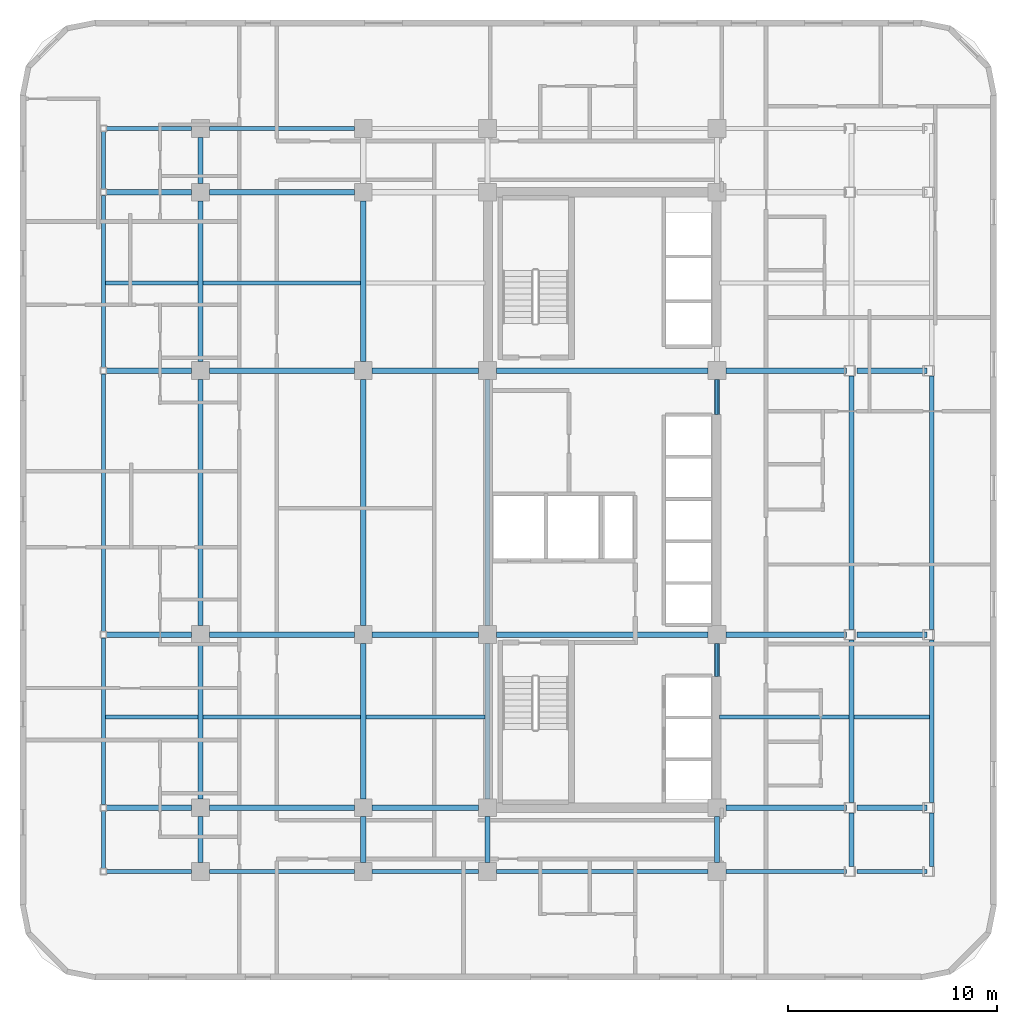
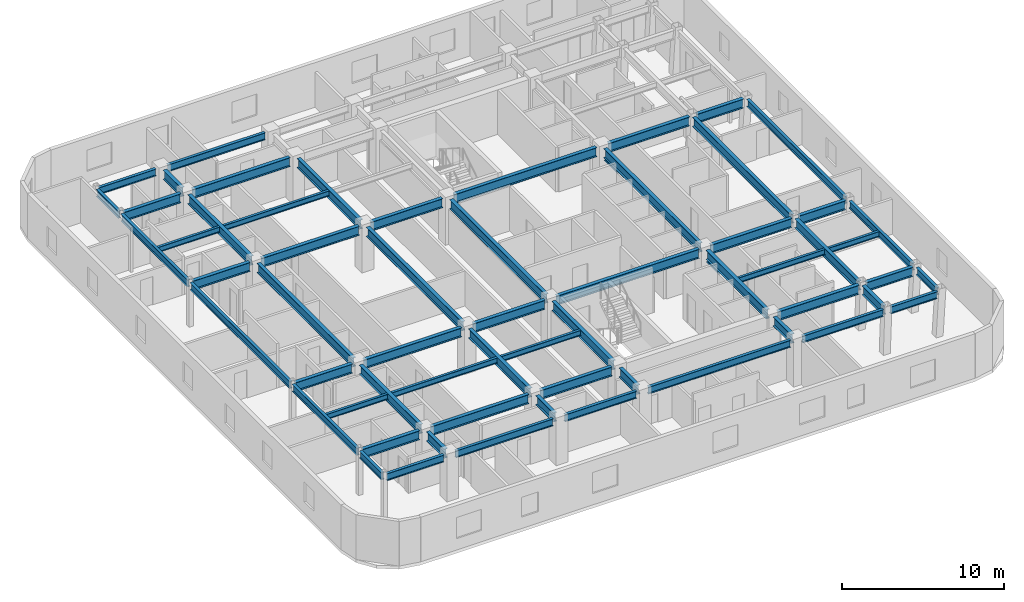
# One storey, part 4 of 12: 62 beams.
"""IFC4 building model written with IfcOpenShell, lengths in metres."""

from ifc_helpers import new_model, si_unit, direction, frame, origin, origin_2d, place, context, subcontext, project, spatial, i_section, extrude, material, material_profile, profile_set, type_object, element, save


model = new_model("IFC4")

# Units and contexts
model_context = context("Model", 3, precision=1e-05, world=origin(), true_north=direction((0.0, 1.0)))
body_context = subcontext(model_context, "Body", "Model", "MODEL_VIEW")
ifc_project = project(units=[si_unit("LENGTHUNIT", "METRE"), si_unit("AREAUNIT", "SQUARE_METRE"), si_unit("VOLUMEUNIT", "CUBIC_METRE"), si_unit("PLANEANGLEUNIT", "RADIAN"), si_unit("MASSUNIT", "GRAM", prefix="KILO")], contexts=[model_context])

# Site, building, storey
site_placement = place(None, origin())
site = spatial("IfcSite", under=ifc_project, at=site_placement, CompositionType="ELEMENT")
building_placement = place(site_placement, origin())
building = spatial("IfcBuilding", under=site, at=building_placement, Name="Ochreholt Gables", CompositionType="ELEMENT")
storey_placement = place(building_placement, frame((0.0, 0.0, 45.60009765625)))
storey = spatial("IfcBuildingStorey", under=building, at=storey_placement, Name="L11", CompositionType="ELEMENT", Elevation=45.60009765625)

# Beams
ifc_material = material(Name="Steel CSA G40.21 350W", Category="steel")
ifc_material_profile_1 = material_profile(ifc_material, i_section(OverallWidth=0.256103515625, OverallDepth=0.693115234375, WebThickness=0.014404296875, FlangeThickness=0.023681640625, at=origin_2d()), Name="W690X170")
ifc_profile_set_1 = profile_set([ifc_material_profile_1], Name="Steel CSA G40.21 350W")
beam_type_1 = type_object("IfcBeamType", Name="BM-G-W690", PredefinedType="BEAM", material=ifc_profile_set_1)
beam_1_placement = place(storey_placement, frame((5.9521484375, 9.25, 3.013427734375), z_axis=(1.0, 0.0, 0.0), x_axis=(0.0, 1.0, 0.0)))
element("IfcBeam", 1, at=beam_1_placement, inside=storey, type_object=beam_type_1, Name="L11 Beam TBG-L11-WTW2-Y2", PredefinedType="BEAM", context=body_context, shape_type="SweptSolid", body=[
    extrude(i_section(OverallWidth=0.256103515625, OverallDepth=0.693115234375, WebThickness=0.014404296875, FlangeThickness=0.023681640625, at=origin_2d()), origin(), (0.0, 0.0, 1.0), 4.0732421875),
])
beam_2_placement = place(storey_placement, frame((10.87451171875, 9.25, 3.013427734375), z_axis=(1.0, 0.0, 0.0), x_axis=(0.0, 1.0, 0.0)))
element("IfcBeam", 2, at=beam_2_placement, inside=storey, type_object=beam_type_1, Name="L11 Beam TBG-L11-W2W3-Y2", PredefinedType="BEAM", context=body_context, shape_type="SweptSolid", body=[
    extrude(i_section(OverallWidth=0.256103515625, OverallDepth=0.693115234375, WebThickness=0.014404296875, FlangeThickness=0.023681640625, at=origin_2d()), origin(), (0.0, 0.0, 1.0), 6.950927734375),
])
beam_3_placement = place(storey_placement, frame((18.674560546875, 9.25, 3.013427734375), z_axis=(1.0, 0.0, 0.0), x_axis=(0.0, 1.0, 0.0)))
element("IfcBeam", 3, at=beam_3_placement, inside=storey, type_object=beam_type_1, Name="L11 Beam TBG-L11-W3C1-Y2", PredefinedType="BEAM", context=body_context, shape_type="SweptSolid", body=[
    extrude(i_section(OverallWidth=0.256103515625, OverallDepth=0.693115234375, WebThickness=0.014404296875, FlangeThickness=0.023681640625, at=origin_2d()), origin(), (0.0, 0.0, 1.0), 5.100830078125),
])
beam_4_placement = place(storey_placement, frame((35.62451171875, 9.25, 3.013427734375), z_axis=(1.0, 0.0, 0.0), x_axis=(0.0, 1.0, 0.0)))
element("IfcBeam", 4, at=beam_4_placement, inside=storey, type_object=beam_type_1, Name="L11 Beam TBG-L11-C2EM-Y2", PredefinedType="BEAM", context=body_context, shape_type="SweptSolid", body=[
    extrude(i_section(OverallWidth=0.256103515625, OverallDepth=0.693115234375, WebThickness=0.014404296875, FlangeThickness=0.023681640625, at=origin_2d()), origin(), (0.0, 0.0, 1.0), 5.783935546875),
])
beam_5_placement = place(storey_placement, frame((41.90771484375, 9.25, 3.013427734375), z_axis=(1.0, 0.0, 0.0), x_axis=(0.0, 1.0, 0.0)))
element("IfcBeam", 5, at=beam_5_placement, inside=storey, type_object=beam_type_1, Name="L11 Beam TBG-L11-EMEE-Y2", PredefinedType="BEAM", context=body_context, shape_type="SweptSolid", body=[
    extrude(i_section(OverallWidth=0.256103515625, OverallDepth=0.693115234375, WebThickness=0.014404296875, FlangeThickness=0.023681640625, at=origin_2d()), origin(), (0.0, 0.0, 1.0), 3.35302734375),
])
beam_6_placement = place(storey_placement, frame((5.9521484375, 17.550048828125, 3.013427734375), z_axis=(1.0, 0.0, 0.0), x_axis=(0.0, 1.0, 0.0)))
element("IfcBeam", 6, at=beam_6_placement, inside=storey, type_object=beam_type_1, Name="L11 Beam TBG-L11-WTW2-Y3", PredefinedType="BEAM", context=body_context, shape_type="SweptSolid", body=[
    extrude(i_section(OverallWidth=0.256103515625, OverallDepth=0.693115234375, WebThickness=0.014404296875, FlangeThickness=0.023681640625, at=origin_2d()), origin(), (0.0, 0.0, 1.0), 4.0732421875),
])
beam_7_placement = place(storey_placement, frame((10.87451171875, 17.550048828125, 3.013427734375), z_axis=(1.0, 0.0, 0.0), x_axis=(0.0, 1.0, 0.0)))
element("IfcBeam", 7, at=beam_7_placement, inside=storey, type_object=beam_type_1, Name="L11 Beam TBG-L11-W2W3-Y3", PredefinedType="BEAM", context=body_context, shape_type="SweptSolid", body=[
    extrude(i_section(OverallWidth=0.256103515625, OverallDepth=0.693115234375, WebThickness=0.014404296875, FlangeThickness=0.023681640625, at=origin_2d()), origin(), (0.0, 0.0, 1.0), 6.950927734375),
])
beam_8_placement = place(storey_placement, frame((18.674560546875, 17.550048828125, 3.013427734375), z_axis=(1.0, 0.0, 0.0), x_axis=(0.0, 1.0, 0.0)))
element("IfcBeam", 8, at=beam_8_placement, inside=storey, type_object=beam_type_1, Name="L11 Beam TBG-L11-W3C1-Y3", PredefinedType="BEAM", context=body_context, shape_type="SweptSolid", body=[
    extrude(i_section(OverallWidth=0.256103515625, OverallDepth=0.693115234375, WebThickness=0.014404296875, FlangeThickness=0.023681640625, at=origin_2d()), origin(), (0.0, 0.0, 1.0), 5.100830078125),
])
beam_9_placement = place(storey_placement, frame((24.62451171875, 17.550048828125, 3.013427734375), z_axis=(1.0, 0.0, 0.0), x_axis=(0.0, 1.0, 0.0)))
element("IfcBeam", 9, at=beam_9_placement, inside=storey, type_object=beam_type_1, Name="L11 Beam TBG-L11-C1C2-Y3", PredefinedType="BEAM", context=body_context, shape_type="SweptSolid", body=[
    extrude(i_section(OverallWidth=0.256103515625, OverallDepth=0.693115234375, WebThickness=0.014404296875, FlangeThickness=0.023681640625, at=origin_2d()), origin(), (0.0, 0.0, 1.0), 10.15087890625),
])
beam_10_placement = place(storey_placement, frame((35.62451171875, 17.550048828125, 3.013427734375), z_axis=(1.0, 0.0, 0.0), x_axis=(0.0, 1.0, 0.0)))
element("IfcBeam", 10, at=beam_10_placement, inside=storey, type_object=beam_type_1, Name="L11 Beam TBG-L11-C2EM-Y3", PredefinedType="BEAM", context=body_context, shape_type="SweptSolid", body=[
    extrude(i_section(OverallWidth=0.256103515625, OverallDepth=0.693115234375, WebThickness=0.014404296875, FlangeThickness=0.023681640625, at=origin_2d()), origin(), (0.0, 0.0, 1.0), 5.783935546875),
])
beam_11_placement = place(storey_placement, frame((41.90771484375, 17.550048828125, 3.013427734375), z_axis=(1.0, 0.0, 0.0), x_axis=(0.0, 1.0, 0.0)))
element("IfcBeam", 11, at=beam_11_placement, inside=storey, type_object=beam_type_1, Name="L11 Beam TBG-L11-EMEE-Y3", PredefinedType="BEAM", context=body_context, shape_type="SweptSolid", body=[
    extrude(i_section(OverallWidth=0.256103515625, OverallDepth=0.693115234375, WebThickness=0.014404296875, FlangeThickness=0.023681640625, at=origin_2d()), origin(), (0.0, 0.0, 1.0), 3.35302734375),
])
beam_12_placement = place(storey_placement, frame((5.9521484375, 30.199951171875, 3.013427734375), z_axis=(1.0, 0.0, 0.0), x_axis=(0.0, 1.0, 0.0)))
element("IfcBeam", 12, at=beam_12_placement, inside=storey, type_object=beam_type_1, Name="L11 Beam TBG-L11-WTW2-Y4", PredefinedType="BEAM", context=body_context, shape_type="SweptSolid", body=[
    extrude(i_section(OverallWidth=0.256103515625, OverallDepth=0.693115234375, WebThickness=0.014404296875, FlangeThickness=0.023681640625, at=origin_2d()), origin(), (0.0, 0.0, 1.0), 4.0732421875),
])
beam_13_placement = place(storey_placement, frame((10.87451171875, 30.199951171875, 3.013427734375), z_axis=(1.0, 0.0, 0.0), x_axis=(0.0, 1.0, 0.0)))
element("IfcBeam", 13, at=beam_13_placement, inside=storey, type_object=beam_type_1, Name="L11 Beam TBG-L11-W2W3-Y4", PredefinedType="BEAM", context=body_context, shape_type="SweptSolid", body=[
    extrude(i_section(OverallWidth=0.256103515625, OverallDepth=0.693115234375, WebThickness=0.014404296875, FlangeThickness=0.023681640625, at=origin_2d()), origin(), (0.0, 0.0, 1.0), 6.950927734375),
])
beam_14_placement = place(storey_placement, frame((18.674560546875, 30.199951171875, 3.013427734375), z_axis=(1.0, 0.0, 0.0), x_axis=(0.0, 1.0, 0.0)))
element("IfcBeam", 14, at=beam_14_placement, inside=storey, type_object=beam_type_1, Name="L11 Beam TBG-L11-W3C1-Y4", PredefinedType="BEAM", context=body_context, shape_type="SweptSolid", body=[
    extrude(i_section(OverallWidth=0.256103515625, OverallDepth=0.693115234375, WebThickness=0.014404296875, FlangeThickness=0.023681640625, at=origin_2d()), origin(), (0.0, 0.0, 1.0), 5.100830078125),
])
beam_15_placement = place(storey_placement, frame((24.62451171875, 30.199951171875, 3.013427734375), z_axis=(1.0, 0.0, 0.0), x_axis=(0.0, 1.0, 0.0)))
element("IfcBeam", 15, at=beam_15_placement, inside=storey, type_object=beam_type_1, Name="L11 Beam TBG-L11-C1C2-Y4", PredefinedType="BEAM", context=body_context, shape_type="SweptSolid", body=[
    extrude(i_section(OverallWidth=0.256103515625, OverallDepth=0.693115234375, WebThickness=0.014404296875, FlangeThickness=0.023681640625, at=origin_2d()), origin(), (0.0, 0.0, 1.0), 10.15087890625),
])
beam_16_placement = place(storey_placement, frame((35.62451171875, 30.199951171875, 3.013427734375), z_axis=(1.0, 0.0, 0.0), x_axis=(0.0, 1.0, 0.0)))
element("IfcBeam", 16, at=beam_16_placement, inside=storey, type_object=beam_type_1, Name="L11 Beam TBG-L11-C2EM-Y4", PredefinedType="BEAM", context=body_context, shape_type="SweptSolid", body=[
    extrude(i_section(OverallWidth=0.256103515625, OverallDepth=0.693115234375, WebThickness=0.014404296875, FlangeThickness=0.023681640625, at=origin_2d()), origin(), (0.0, 0.0, 1.0), 5.783935546875),
])
beam_17_placement = place(storey_placement, frame((41.90771484375, 30.199951171875, 3.013427734375), z_axis=(1.0, 0.0, 0.0), x_axis=(0.0, 1.0, 0.0)))
element("IfcBeam", 17, at=beam_17_placement, inside=storey, type_object=beam_type_1, Name="L11 Beam TBG-L11-EMEE-Y4", PredefinedType="BEAM", context=body_context, shape_type="SweptSolid", body=[
    extrude(i_section(OverallWidth=0.256103515625, OverallDepth=0.693115234375, WebThickness=0.014404296875, FlangeThickness=0.023681640625, at=origin_2d()), origin(), (0.0, 0.0, 1.0), 3.35302734375),
])
beam_18_placement = place(storey_placement, frame((5.9521484375, 38.75, 3.013427734375), z_axis=(1.0, 0.0, 0.0), x_axis=(0.0, 1.0, 0.0)))
element("IfcBeam", 18, at=beam_18_placement, inside=storey, type_object=beam_type_1, Name="L11 Beam TBG-L11-WTW2-Y5", PredefinedType="BEAM", context=body_context, shape_type="SweptSolid", body=[
    extrude(i_section(OverallWidth=0.256103515625, OverallDepth=0.693115234375, WebThickness=0.014404296875, FlangeThickness=0.023681640625, at=origin_2d()), origin(), (0.0, 0.0, 1.0), 4.0732421875),
])
beam_19_placement = place(storey_placement, frame((10.87451171875, 38.75, 3.013427734375), z_axis=(1.0, 0.0, 0.0), x_axis=(0.0, 1.0, 0.0)))
element("IfcBeam", 19, at=beam_19_placement, inside=storey, type_object=beam_type_1, Name="L11 Beam TBG-L11-W2W3-Y5", PredefinedType="BEAM", context=body_context, shape_type="SweptSolid", body=[
    extrude(i_section(OverallWidth=0.256103515625, OverallDepth=0.693115234375, WebThickness=0.014404296875, FlangeThickness=0.023681640625, at=origin_2d()), origin(), (0.0, 0.0, 1.0), 6.950927734375),
])
beam_20_placement = place(storey_placement, frame((10.449951171875, 6.62451171875, 3.013427734375), z_axis=(0.0, 1.0, 0.0), x_axis=(-1.0, 0.0, 0.0)))
element("IfcBeam", 20, at=beam_20_placement, inside=storey, type_object=beam_type_1, Name="L11 Beam TBN-L11-W2-Y1Y2", PredefinedType="BEAM", context=body_context, shape_type="SweptSolid", body=[
    extrude(i_section(OverallWidth=0.256103515625, OverallDepth=0.693115234375, WebThickness=0.014404296875, FlangeThickness=0.023681640625, at=origin_2d()), origin(), (0.0, 0.0, 1.0), 2.200927734375),
])
beam_21_placement = place(storey_placement, frame((10.449951171875, 9.674560546875, 3.013427734375), z_axis=(0.0, 1.0, 0.0), x_axis=(-1.0, 0.0, 0.0)))
element("IfcBeam", 21, at=beam_21_placement, inside=storey, type_object=beam_type_1, Name="L11 Beam TBN-L11-W2-Y2Y3", PredefinedType="BEAM", context=body_context, shape_type="SweptSolid", body=[
    extrude(i_section(OverallWidth=0.256103515625, OverallDepth=0.693115234375, WebThickness=0.014404296875, FlangeThickness=0.023681640625, at=origin_2d()), origin(), (0.0, 0.0, 1.0), 7.450927734375),
])
beam_22_placement = place(storey_placement, frame((10.449951171875, 17.974609375, 3.013427734375), z_axis=(0.0, 1.0, 0.0), x_axis=(-1.0, 0.0, 0.0)))
element("IfcBeam", 22, at=beam_22_placement, inside=storey, type_object=beam_type_1, Name="L11 Beam TBN-L11-W2-Y3Y4", PredefinedType="BEAM", context=body_context, shape_type="SweptSolid", body=[
    extrude(i_section(OverallWidth=0.256103515625, OverallDepth=0.693115234375, WebThickness=0.014404296875, FlangeThickness=0.023681640625, at=origin_2d()), origin(), (0.0, 0.0, 1.0), 11.80078125),
])
beam_23_placement = place(storey_placement, frame((10.449951171875, 30.62451171875, 3.013427734375), z_axis=(0.0, 1.0, 0.0), x_axis=(-1.0, 0.0, 0.0)))
element("IfcBeam", 23, at=beam_23_placement, inside=storey, type_object=beam_type_1, Name="L11 Beam TBN-L11-W2-Y4Y5", PredefinedType="BEAM", context=body_context, shape_type="SweptSolid", body=[
    extrude(i_section(OverallWidth=0.256103515625, OverallDepth=0.693115234375, WebThickness=0.014404296875, FlangeThickness=0.023681640625, at=origin_2d()), origin(), (0.0, 0.0, 1.0), 7.700927734375),
])
for number, where, z_axis, x_axis, name in (
    (24, (10.449951171875, 39.174560546875, 3.013427734375), (0.0, 1.0, 0.0), (-1.0, 0.0, 0.0), "L11 Beam TBN-L11-W2-Y5Y6"),
    (25, (18.25, 6.62451171875, 3.013427734375), (0.0, 1.0, 0.0), (-1.0, 0.0, 0.0), "L11 Beam TBN-L11-W3-Y1Y2"),
):
    element("IfcBeam", number, at=place(storey_placement, frame(where, z_axis=z_axis, x_axis=x_axis)), inside=storey, type_object=beam_type_1, Name=name, PredefinedType="BEAM", context=body_context, shape_type="SweptSolid", body=[
        extrude(i_section(OverallWidth=0.256103515625, OverallDepth=0.693115234375, WebThickness=0.014404296875, FlangeThickness=0.023681640625, at=origin_2d()), origin(), (0.0, 0.0, 1.0), 2.200927734375),
    ])
beam_24_placement = place(storey_placement, frame((18.25, 9.674560546875, 3.013427734375), z_axis=(0.0, 1.0, 0.0), x_axis=(-1.0, 0.0, 0.0)))
element("IfcBeam", 26, at=beam_24_placement, inside=storey, type_object=beam_type_1, Name="L11 Beam TBN-L11-W3-Y2Y3", PredefinedType="BEAM", context=body_context, shape_type="SweptSolid", body=[
    extrude(i_section(OverallWidth=0.256103515625, OverallDepth=0.693115234375, WebThickness=0.014404296875, FlangeThickness=0.023681640625, at=origin_2d()), origin(), (0.0, 0.0, 1.0), 7.450927734375),
])
beam_25_placement = place(storey_placement, frame((18.25, 17.974609375, 3.013427734375), z_axis=(0.0, 1.0, 0.0), x_axis=(-1.0, 0.0, 0.0)))
element("IfcBeam", 27, at=beam_25_placement, inside=storey, type_object=beam_type_1, Name="L11 Beam TBN-L11-W3-Y3Y4", PredefinedType="BEAM", context=body_context, shape_type="SweptSolid", body=[
    extrude(i_section(OverallWidth=0.256103515625, OverallDepth=0.693115234375, WebThickness=0.014404296875, FlangeThickness=0.023681640625, at=origin_2d()), origin(), (0.0, 0.0, 1.0), 11.80078125),
])
beam_26_placement = place(storey_placement, frame((18.25, 30.62451171875, 3.013427734375), z_axis=(0.0, 1.0, 0.0), x_axis=(-1.0, 0.0, 0.0)))
element("IfcBeam", 28, at=beam_26_placement, inside=storey, type_object=beam_type_1, Name="L11 Beam TBN-L11-W3-Y4Y5", PredefinedType="BEAM", context=body_context, shape_type="SweptSolid", body=[
    extrude(i_section(OverallWidth=0.256103515625, OverallDepth=0.693115234375, WebThickness=0.014404296875, FlangeThickness=0.023681640625, at=origin_2d()), origin(), (0.0, 0.0, 1.0), 7.700927734375),
])
beam_27_placement = place(storey_placement, frame((24.199951171875, 6.62451171875, 3.013427734375), z_axis=(0.0, 1.0, 0.0), x_axis=(-1.0, 0.0, 0.0)))
element("IfcBeam", 29, at=beam_27_placement, inside=storey, type_object=beam_type_1, Name="L11 Beam TBN-L11-C1-Y1Y2", PredefinedType="BEAM", context=body_context, shape_type="SweptSolid", body=[
    extrude(i_section(OverallWidth=0.256103515625, OverallDepth=0.693115234375, WebThickness=0.014404296875, FlangeThickness=0.023681640625, at=origin_2d()), origin(), (0.0, 0.0, 1.0), 2.200927734375),
])
beam_28_placement = place(storey_placement, frame((24.199951171875, 9.674560546875, 3.013427734375), z_axis=(0.0, 1.0, 0.0), x_axis=(-1.0, 0.0, 0.0)))
element("IfcBeam", 30, at=beam_28_placement, inside=storey, type_object=beam_type_1, Name="L11 Beam TBN-L11-C1-Y2Y3", PredefinedType="BEAM", context=body_context, shape_type="SweptSolid", body=[
    extrude(i_section(OverallWidth=0.256103515625, OverallDepth=0.693115234375, WebThickness=0.014404296875, FlangeThickness=0.023681640625, at=origin_2d()), origin(), (0.0, 0.0, 1.0), 7.450927734375),
])
beam_29_placement = place(storey_placement, frame((24.199951171875, 17.974609375, 3.013427734375), z_axis=(0.0, 1.0, 0.0), x_axis=(-1.0, 0.0, 0.0)))
element("IfcBeam", 31, at=beam_29_placement, inside=storey, type_object=beam_type_1, Name="L11 Beam TBN-L11-C1-Y3Y4", PredefinedType="BEAM", context=body_context, shape_type="SweptSolid", body=[
    extrude(i_section(OverallWidth=0.256103515625, OverallDepth=0.693115234375, WebThickness=0.014404296875, FlangeThickness=0.023681640625, at=origin_2d()), origin(), (0.0, 0.0, 1.0), 11.80078125),
])
beam_30_placement = place(storey_placement, frame((35.199951171875, 6.62451171875, 3.013427734375), z_axis=(0.0, 1.0, 0.0), x_axis=(-1.0, 0.0, 0.0)))
element("IfcBeam", 32, at=beam_30_placement, inside=storey, type_object=beam_type_1, Name="L11 Beam TBN-L11-C2-Y1Y2", PredefinedType="BEAM", context=body_context, shape_type="SweptSolid", body=[
    extrude(i_section(OverallWidth=0.256103515625, OverallDepth=0.693115234375, WebThickness=0.014404296875, FlangeThickness=0.023681640625, at=origin_2d()), origin(), (0.0, 0.0, 1.0), 2.200927734375),
])
beam_31_placement = place(storey_placement, frame((35.199951171875, 9.674560546875, 3.013427734375), z_axis=(0.0, 1.0, 0.0), x_axis=(-1.0, 0.0, 0.0)))
element("IfcBeam", 33, at=beam_31_placement, inside=storey, type_object=beam_type_1, Name="L11 Beam TBN-L11-C2-Y2Y3", PredefinedType="BEAM", context=body_context, shape_type="SweptSolid", body=[
    extrude(i_section(OverallWidth=0.256103515625, OverallDepth=0.693115234375, WebThickness=0.014404296875, FlangeThickness=0.023681640625, at=origin_2d()), origin(), (0.0, 0.0, 1.0), 7.450927734375),
])
beam_32_placement = place(storey_placement, frame((35.199951171875, 17.974609375, 3.013427734375), z_axis=(0.0, 1.0, 0.0), x_axis=(-1.0, 0.0, 0.0)))
element("IfcBeam", 34, at=beam_32_placement, inside=storey, type_object=beam_type_1, Name="L11 Beam TBN-L11-C2-Y3Y4", PredefinedType="BEAM", context=body_context, shape_type="SweptSolid", body=[
    extrude(i_section(OverallWidth=0.256103515625, OverallDepth=0.693115234375, WebThickness=0.014404296875, FlangeThickness=0.023681640625, at=origin_2d()), origin(), (0.0, 0.0, 1.0), 11.80078125),
])
beam_33_placement = place(storey_placement, frame((41.640869140625, 6.44970703125, 3.013427734375), z_axis=(0.0, 1.0, 0.0), x_axis=(-1.0, 0.0, 0.0)))
element("IfcBeam", 35, at=beam_33_placement, inside=storey, type_object=beam_type_1, Name="L11 Beam TBN-L11-EM-Y1Y2", PredefinedType="BEAM", context=body_context, shape_type="SweptSolid", body=[
    extrude(i_section(OverallWidth=0.256103515625, OverallDepth=0.693115234375, WebThickness=0.014404296875, FlangeThickness=0.023681640625, at=origin_2d()), origin(), (0.0, 0.0, 1.0), 2.55078125),
])
beam_34_placement = place(storey_placement, frame((41.640869140625, 9.49951171875, 3.013427734375), z_axis=(0.0, 1.0, 0.0), x_axis=(-1.0, 0.0, 0.0)))
element("IfcBeam", 36, at=beam_34_placement, inside=storey, type_object=beam_type_1, Name="L11 Beam TBN-L11-EM-Y2Y3", PredefinedType="BEAM", context=body_context, shape_type="SweptSolid", body=[
    extrude(i_section(OverallWidth=0.256103515625, OverallDepth=0.693115234375, WebThickness=0.014404296875, FlangeThickness=0.023681640625, at=origin_2d()), origin(), (0.0, 0.0, 1.0), 7.80078125),
])
beam_35_placement = place(storey_placement, frame((41.640869140625, 17.799560546875, 3.013427734375), z_axis=(0.0, 1.0, 0.0), x_axis=(-1.0, 0.0, 0.0)))
element("IfcBeam", 37, at=beam_35_placement, inside=storey, type_object=beam_type_1, Name="L11 Beam TBN-L11-EM-Y3Y4", PredefinedType="BEAM", context=body_context, shape_type="SweptSolid", body=[
    extrude(i_section(OverallWidth=0.256103515625, OverallDepth=0.693115234375, WebThickness=0.014404296875, FlangeThickness=0.023681640625, at=origin_2d()), origin(), (0.0, 0.0, 1.0), 12.15087890625),
])
ifc_material_profile_2 = material_profile(ifc_material, i_section(OverallWidth=0.178955078125, OverallDepth=0.409912109375, WebThickness=0.0087890625, FlangeThickness=0.014404296875, at=origin_2d()), Name="W410X67")
ifc_profile_set_2 = profile_set([ifc_material_profile_2], Name="Steel CSA G40.21 350W")
beam_type_2 = type_object("IfcBeamType", Name="BM-J-W410", PredefinedType="JOIST", material=ifc_profile_set_2)
beam_36_placement = place(storey_placement, frame((5.904052734375, 13.60009765625, 3.15478515625), z_axis=(1.0, 0.0, 0.0), x_axis=(0.0, 1.0, 0.0)))
element("IfcBeam", 38, at=beam_36_placement, inside=storey, type_object=beam_type_2, Name="L11 Beam TBJ-L11-J1-WTW2", PredefinedType="JOIST", context=body_context, shape_type="SweptSolid", body=[
    extrude(i_section(OverallWidth=0.178955078125, OverallDepth=0.409912109375, WebThickness=0.0087890625, FlangeThickness=0.014404296875, at=origin_2d()), origin(), (0.0, 0.0, 1.0), 4.41845703125),
])
beam_37_placement = place(storey_placement, frame((10.57763671875, 13.60009765625, 3.15478515625), z_axis=(1.0, 0.0, 0.0), x_axis=(0.0, 1.0, 0.0)))
element("IfcBeam", 39, at=beam_37_placement, inside=storey, type_object=beam_type_2, Name="L11 Beam TBJ-L11-J1-W2W3", PredefinedType="JOIST", context=body_context, shape_type="SweptSolid", body=[
    extrude(i_section(OverallWidth=0.178955078125, OverallDepth=0.409912109375, WebThickness=0.0087890625, FlangeThickness=0.014404296875, at=origin_2d()), origin(), (0.0, 0.0, 1.0), 7.544677734375),
])
beam_38_placement = place(storey_placement, frame((18.377685546875, 13.60009765625, 3.15478515625), z_axis=(1.0, 0.0, 0.0), x_axis=(0.0, 1.0, 0.0)))
element("IfcBeam", 40, at=beam_38_placement, inside=storey, type_object=beam_type_2, Name="L11 Beam TBJ-L11-J1-W3C1", PredefinedType="JOIST", context=body_context, shape_type="SweptSolid", body=[
    extrude(i_section(OverallWidth=0.178955078125, OverallDepth=0.409912109375, WebThickness=0.0087890625, FlangeThickness=0.014404296875, at=origin_2d()), origin(), (0.0, 0.0, 1.0), 5.69482421875),
])
beam_39_placement = place(storey_placement, frame((35.32763671875, 13.60009765625, 3.15478515625), z_axis=(1.0, 0.0, 0.0), x_axis=(0.0, 1.0, 0.0)))
element("IfcBeam", 41, at=beam_39_placement, inside=storey, type_object=beam_type_2, Name="L11 Beam TBJ-L11-J1-C2EM", PredefinedType="JOIST", context=body_context, shape_type="SweptSolid", body=[
    extrude(i_section(OverallWidth=0.178955078125, OverallDepth=0.409912109375, WebThickness=0.0087890625, FlangeThickness=0.014404296875, at=origin_2d()), origin(), (0.0, 0.0, 1.0), 6.185546875),
])
beam_40_placement = place(storey_placement, frame((41.7685546875, 13.60009765625, 3.15478515625), z_axis=(1.0, 0.0, 0.0), x_axis=(0.0, 1.0, 0.0)))
element("IfcBeam", 42, at=beam_40_placement, inside=storey, type_object=beam_type_2, Name="L11 Beam TBJ-L11-J1-EMEE", PredefinedType="JOIST", context=body_context, shape_type="SweptSolid", body=[
    extrude(i_section(OverallWidth=0.178955078125, OverallDepth=0.409912109375, WebThickness=0.0087890625, FlangeThickness=0.014404296875, at=origin_2d()), origin(), (0.0, 0.0, 1.0), 3.609375),
])
beam_41_placement = place(storey_placement, frame((5.904052734375, 34.39990234375, 3.15478515625), z_axis=(1.0, 0.0, 0.0), x_axis=(0.0, 1.0, 0.0)))
element("IfcBeam", 43, at=beam_41_placement, inside=storey, type_object=beam_type_2, Name="L11 Beam TBJ-L11-J2-WTW2", PredefinedType="JOIST", context=body_context, shape_type="SweptSolid", body=[
    extrude(i_section(OverallWidth=0.178955078125, OverallDepth=0.409912109375, WebThickness=0.0087890625, FlangeThickness=0.014404296875, at=origin_2d()), origin(), (0.0, 0.0, 1.0), 4.41845703125),
])
beam_42_placement = place(storey_placement, frame((10.57763671875, 34.39990234375, 3.15478515625), z_axis=(1.0, 0.0, 0.0), x_axis=(0.0, 1.0, 0.0)))
element("IfcBeam", 44, at=beam_42_placement, inside=storey, type_object=beam_type_2, Name="L11 Beam TBJ-L11-J2-W2W3", PredefinedType="JOIST", context=body_context, shape_type="SweptSolid", body=[
    extrude(i_section(OverallWidth=0.178955078125, OverallDepth=0.409912109375, WebThickness=0.0087890625, FlangeThickness=0.014404296875, at=origin_2d()), origin(), (0.0, 0.0, 1.0), 7.544677734375),
])
ifc_material_profile_3 = material_profile(ifc_material, i_section(OverallWidth=0.1650390625, OverallDepth=0.200927734375, WebThickness=0.006103515625, FlangeThickness=0.01025390625, at=origin_2d()), Name="W200X36")
ifc_profile_set_3 = profile_set([ifc_material_profile_3], Name="Steel CSA G40.21 350W")
beam_type_3 = type_object("IfcBeamType", Name="BM-LIN-W200", PredefinedType="LINTEL", material=ifc_profile_set_3)
beam_43_placement = place(storey_placement, frame((35.175048828125, 15.550048828125, 2.56640625), z_axis=(0.0, 1.0, 0.0), x_axis=(-1.0, 0.0, 0.0)))
element("IfcBeam", 45, at=beam_43_placement, inside=storey, type_object=beam_type_3, Name="L11 Core Coupling Lintel CPS", PredefinedType="LINTEL", context=body_context, shape_type="SweptSolid", body=[
    extrude(i_section(OverallWidth=0.1650390625, OverallDepth=0.200927734375, WebThickness=0.006103515625, FlangeThickness=0.01025390625, at=origin_2d()), origin(), (0.0, 0.0, 1.0), 1.574951171875),
])
beam_44_placement = place(storey_placement, frame((35.175048828125, 28.10009765625, 2.56640625), z_axis=(0.0, 1.0, 0.0), x_axis=(-1.0, 0.0, 0.0)))
element("IfcBeam", 46, at=beam_44_placement, inside=storey, type_object=beam_type_3, Name="L11 Core Coupling Lintel CPN", PredefinedType="LINTEL", context=body_context, shape_type="SweptSolid", body=[
    extrude(i_section(OverallWidth=0.1650390625, OverallDepth=0.200927734375, WebThickness=0.006103515625, FlangeThickness=0.01025390625, at=origin_2d()), origin(), (0.0, 0.0, 1.0), 1.6748046875),
])
ifc_material_profile_4 = material_profile(ifc_material, i_section(OverallWidth=0.208984375, OverallDepth=0.532958984375, WebThickness=0.01025390625, FlangeThickness=0.015625, at=origin_2d()), Name="W530X92")
ifc_profile_set_4 = profile_set([ifc_material_profile_4], Name="Steel CSA G40.21 350W")
beam_type_4 = type_object("IfcBeamType", Name="BM-SP-W530B", PredefinedType="SPANDREL", material=ifc_profile_set_4)
beam_45_placement = place(storey_placement, frame((5.9521484375, 6.199951171875, 3.093505859375), z_axis=(1.0, 0.0, 0.0), x_axis=(0.0, 1.0, 0.0)))
element("IfcBeam", 47, at=beam_45_placement, inside=storey, type_object=beam_type_4, Name="L11 Beam TBG-L11-WTW2-Y1", PredefinedType="SPANDREL", context=body_context, shape_type="SweptSolid", body=[
    extrude(i_section(OverallWidth=0.208984375, OverallDepth=0.532958984375, WebThickness=0.01025390625, FlangeThickness=0.015625, at=origin_2d()), origin(), (0.0, 0.0, 1.0), 4.0732421875),
])
beam_46_placement = place(storey_placement, frame((10.87451171875, 6.199951171875, 3.093505859375), z_axis=(1.0, 0.0, 0.0), x_axis=(0.0, 1.0, 0.0)))
element("IfcBeam", 48, at=beam_46_placement, inside=storey, type_object=beam_type_4, Name="L11 Beam TBG-L11-W2W3-Y1", PredefinedType="SPANDREL", context=body_context, shape_type="SweptSolid", body=[
    extrude(i_section(OverallWidth=0.208984375, OverallDepth=0.532958984375, WebThickness=0.01025390625, FlangeThickness=0.015625, at=origin_2d()), origin(), (0.0, 0.0, 1.0), 6.950927734375),
])
beam_47_placement = place(storey_placement, frame((18.674560546875, 6.199951171875, 3.093505859375), z_axis=(1.0, 0.0, 0.0), x_axis=(0.0, 1.0, 0.0)))
element("IfcBeam", 49, at=beam_47_placement, inside=storey, type_object=beam_type_4, Name="L11 Beam TBG-L11-W3C1-Y1", PredefinedType="SPANDREL", context=body_context, shape_type="SweptSolid", body=[
    extrude(i_section(OverallWidth=0.208984375, OverallDepth=0.532958984375, WebThickness=0.01025390625, FlangeThickness=0.015625, at=origin_2d()), origin(), (0.0, 0.0, 1.0), 5.100830078125),
])
beam_48_placement = place(storey_placement, frame((24.62451171875, 6.199951171875, 3.093505859375), z_axis=(1.0, 0.0, 0.0), x_axis=(0.0, 1.0, 0.0)))
element("IfcBeam", 50, at=beam_48_placement, inside=storey, type_object=beam_type_4, Name="L11 Beam TBG-L11-C1C2-Y1", PredefinedType="SPANDREL", context=body_context, shape_type="SweptSolid", body=[
    extrude(i_section(OverallWidth=0.208984375, OverallDepth=0.532958984375, WebThickness=0.01025390625, FlangeThickness=0.015625, at=origin_2d()), origin(), (0.0, 0.0, 1.0), 10.15087890625),
])
beam_49_placement = place(storey_placement, frame((35.62451171875, 6.199951171875, 3.093505859375), z_axis=(1.0, 0.0, 0.0), x_axis=(0.0, 1.0, 0.0)))
element("IfcBeam", 51, at=beam_49_placement, inside=storey, type_object=beam_type_4, Name="L11 Beam TBG-L11-C2EM-Y1", PredefinedType="SPANDREL", context=body_context, shape_type="SweptSolid", body=[
    extrude(i_section(OverallWidth=0.208984375, OverallDepth=0.532958984375, WebThickness=0.01025390625, FlangeThickness=0.015625, at=origin_2d()), origin(), (0.0, 0.0, 1.0), 5.783935546875),
])
beam_50_placement = place(storey_placement, frame((41.90771484375, 6.199951171875, 3.093505859375), z_axis=(1.0, 0.0, 0.0), x_axis=(0.0, 1.0, 0.0)))
element("IfcBeam", 52, at=beam_50_placement, inside=storey, type_object=beam_type_4, Name="L11 Beam TBG-L11-EMEE-Y1", PredefinedType="SPANDREL", context=body_context, shape_type="SweptSolid", body=[
    extrude(i_section(OverallWidth=0.208984375, OverallDepth=0.532958984375, WebThickness=0.01025390625, FlangeThickness=0.015625, at=origin_2d()), origin(), (0.0, 0.0, 1.0), 3.35302734375),
])
beam_51_placement = place(storey_placement, frame((5.9521484375, 41.800048828125, 3.093505859375), z_axis=(1.0, 0.0, 0.0), x_axis=(0.0, 1.0, 0.0)))
element("IfcBeam", 53, at=beam_51_placement, inside=storey, type_object=beam_type_4, Name="L11 Beam TBG-L11-WTW2-Y6", PredefinedType="SPANDREL", context=body_context, shape_type="SweptSolid", body=[
    extrude(i_section(OverallWidth=0.208984375, OverallDepth=0.532958984375, WebThickness=0.01025390625, FlangeThickness=0.015625, at=origin_2d()), origin(), (0.0, 0.0, 1.0), 4.0732421875),
])
beam_52_placement = place(storey_placement, frame((10.87451171875, 41.800048828125, 3.093505859375), z_axis=(1.0, 0.0, 0.0), x_axis=(0.0, 1.0, 0.0)))
element("IfcBeam", 54, at=beam_52_placement, inside=storey, type_object=beam_type_4, Name="L11 Beam TBG-L11-W2W3-Y6", PredefinedType="SPANDREL", context=body_context, shape_type="SweptSolid", body=[
    extrude(i_section(OverallWidth=0.208984375, OverallDepth=0.532958984375, WebThickness=0.01025390625, FlangeThickness=0.015625, at=origin_2d()), origin(), (0.0, 0.0, 1.0), 6.950927734375),
])
beam_53_placement = place(storey_placement, frame((5.800048828125, 6.35205078125, 3.093505859375), z_axis=(0.0, 1.0, 0.0), x_axis=(-1.0, 0.0, 0.0)))
element("IfcBeam", 55, at=beam_53_placement, inside=storey, type_object=beam_type_4, Name="L11 Beam TBN-L11-WT-Y1Y2", PredefinedType="SPANDREL", context=body_context, shape_type="SweptSolid", body=[
    extrude(i_section(OverallWidth=0.208984375, OverallDepth=0.532958984375, WebThickness=0.01025390625, FlangeThickness=0.015625, at=origin_2d()), origin(), (0.0, 0.0, 1.0), 2.745849609375),
])
beam_54_placement = place(storey_placement, frame((5.800048828125, 9.402099609375, 3.093505859375), z_axis=(0.0, 1.0, 0.0), x_axis=(-1.0, 0.0, 0.0)))
element("IfcBeam", 56, at=beam_54_placement, inside=storey, type_object=beam_type_4, Name="L11 Beam TBN-L11-WT-Y2Y3", PredefinedType="SPANDREL", context=body_context, shape_type="SweptSolid", body=[
    extrude(i_section(OverallWidth=0.208984375, OverallDepth=0.532958984375, WebThickness=0.01025390625, FlangeThickness=0.015625, at=origin_2d()), origin(), (0.0, 0.0, 1.0), 7.995849609375),
])
beam_55_placement = place(storey_placement, frame((5.800048828125, 17.7021484375, 3.093505859375), z_axis=(0.0, 1.0, 0.0), x_axis=(-1.0, 0.0, 0.0)))
element("IfcBeam", 57, at=beam_55_placement, inside=storey, type_object=beam_type_4, Name="L11 Beam TBN-L11-WT-Y3Y4", PredefinedType="SPANDREL", context=body_context, shape_type="SweptSolid", body=[
    extrude(i_section(OverallWidth=0.208984375, OverallDepth=0.532958984375, WebThickness=0.01025390625, FlangeThickness=0.015625, at=origin_2d()), origin(), (0.0, 0.0, 1.0), 12.345703125),
])
beam_56_placement = place(storey_placement, frame((5.800048828125, 30.35205078125, 3.093505859375), z_axis=(0.0, 1.0, 0.0), x_axis=(-1.0, 0.0, 0.0)))
element("IfcBeam", 58, at=beam_56_placement, inside=storey, type_object=beam_type_4, Name="L11 Beam TBN-L11-WT-Y4Y5", PredefinedType="SPANDREL", context=body_context, shape_type="SweptSolid", body=[
    extrude(i_section(OverallWidth=0.208984375, OverallDepth=0.532958984375, WebThickness=0.01025390625, FlangeThickness=0.015625, at=origin_2d()), origin(), (0.0, 0.0, 1.0), 8.245849609375),
])
beam_57_placement = place(storey_placement, frame((5.800048828125, 38.902099609375, 3.093505859375), z_axis=(0.0, 1.0, 0.0), x_axis=(-1.0, 0.0, 0.0)))
element("IfcBeam", 59, at=beam_57_placement, inside=storey, type_object=beam_type_4, Name="L11 Beam TBN-L11-WT-Y5Y6", PredefinedType="SPANDREL", context=body_context, shape_type="SweptSolid", body=[
    extrude(i_section(OverallWidth=0.208984375, OverallDepth=0.532958984375, WebThickness=0.01025390625, FlangeThickness=0.015625, at=origin_2d()), origin(), (0.0, 0.0, 1.0), 2.745849609375),
])
beam_58_placement = place(storey_placement, frame((45.48193359375, 6.44970703125, 3.093505859375), z_axis=(0.0, 1.0, 0.0), x_axis=(-1.0, 0.0, 0.0)))
element("IfcBeam", 60, at=beam_58_placement, inside=storey, type_object=beam_type_4, Name="L11 Beam TBN-L11-EE-Y1Y2", PredefinedType="SPANDREL", context=body_context, shape_type="SweptSolid", body=[
    extrude(i_section(OverallWidth=0.208984375, OverallDepth=0.532958984375, WebThickness=0.01025390625, FlangeThickness=0.015625, at=origin_2d()), origin(), (0.0, 0.0, 1.0), 2.55078125),
])
beam_59_placement = place(storey_placement, frame((45.48193359375, 9.49951171875, 3.093505859375), z_axis=(0.0, 1.0, 0.0), x_axis=(-1.0, 0.0, 0.0)))
element("IfcBeam", 61, at=beam_59_placement, inside=storey, type_object=beam_type_4, Name="L11 Beam TBN-L11-EE-Y2Y3", PredefinedType="SPANDREL", context=body_context, shape_type="SweptSolid", body=[
    extrude(i_section(OverallWidth=0.208984375, OverallDepth=0.532958984375, WebThickness=0.01025390625, FlangeThickness=0.015625, at=origin_2d()), origin(), (0.0, 0.0, 1.0), 7.80078125),
])
beam_60_placement = place(storey_placement, frame((45.48193359375, 17.799560546875, 3.093505859375), z_axis=(0.0, 1.0, 0.0), x_axis=(-1.0, 0.0, 0.0)))
element("IfcBeam", 62, at=beam_60_placement, inside=storey, type_object=beam_type_4, Name="L11 Beam TBN-L11-EE-Y3Y4", PredefinedType="SPANDREL", context=body_context, shape_type="SweptSolid", body=[
    extrude(i_section(OverallWidth=0.208984375, OverallDepth=0.532958984375, WebThickness=0.01025390625, FlangeThickness=0.015625, at=origin_2d()), origin(), (0.0, 0.0, 1.0), 12.15087890625),
])

save(model, "model.ifc")
